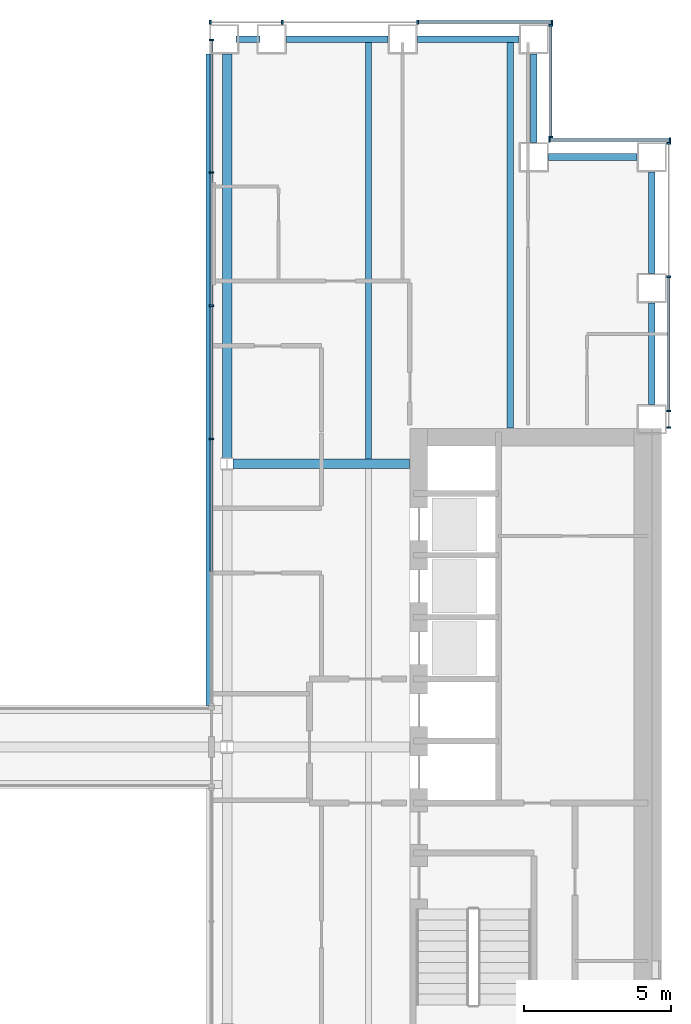
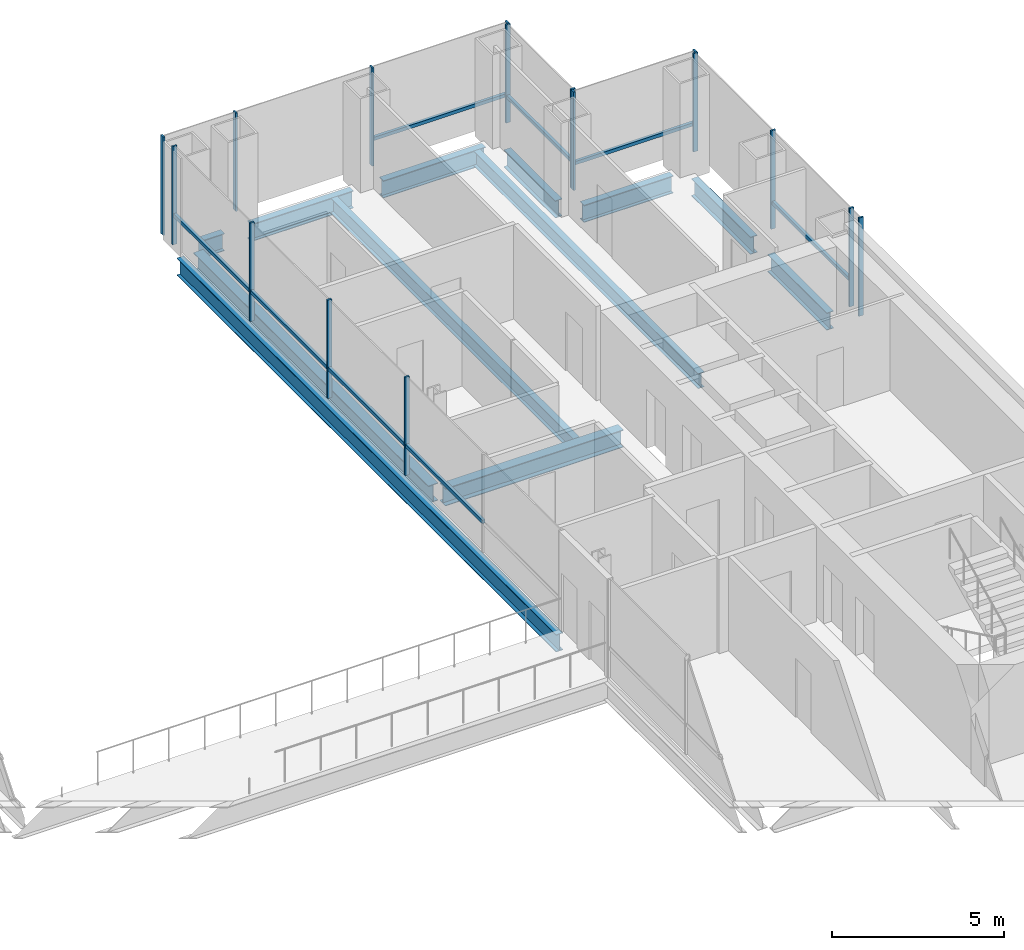
# One storey, part 7 of 18: 24 members, 12 beams, 5 elements without a shape of their own.
"""IFC4 building model written with IfcOpenShell, lengths in metres."""

from ifc_helpers import new_model, si_unit, direction, frame, origin, origin_2d, place, context, subcontext, project, spatial, rectangle, i_section, extrude, material, material_profile, profile_set, type_object, element, aggregate, save


model = new_model("IFC4")

# Units and contexts
model_context = context("Model", 3, precision=1e-05, world=origin(), true_north=direction((0.0, 1.0)))
body_context = subcontext(model_context, "Body", "Model", "MODEL_VIEW")
ifc_project = project(units=[si_unit("LENGTHUNIT", "METRE"), si_unit("AREAUNIT", "SQUARE_METRE"), si_unit("VOLUMEUNIT", "CUBIC_METRE"), si_unit("PLANEANGLEUNIT", "RADIAN"), si_unit("MASSUNIT", "GRAM", prefix="KILO")], contexts=[model_context])

# Site, building, storey
site_placement = place(None, origin())
site = spatial("IfcSite", under=ifc_project, at=site_placement, CompositionType="ELEMENT")
building_placement = place(site_placement, origin())
building = spatial("IfcBuilding", under=site, at=building_placement, Name="Cobrizo Arcos Hotel Tower", CompositionType="ELEMENT")
storey_placement = place(building_placement, frame((0.0, 0.0, 77.5)))
storey = spatial("IfcBuildingStorey", under=building, at=storey_placement, Name="L18", CompositionType="ELEMENT", Elevation=77.5)

# Curtain wall, members
ifc_material_1 = material(Name="Aluminium 6063-T6 anodised bronze", Category="aluminium")
curtain_wall_type_1 = type_object("IfcCurtainWallType", Name="CW-A guest facade", PredefinedType="NOTDEFINED", material=ifc_material_1)
curtain_wall_1_placement = place(storey_placement, origin())
curtain_wall_1 = element("IfcCurtainWall", 1, at=curtain_wall_1_placement, inside=storey, type_object=curtain_wall_type_1, Name="CW-A L18 E face", PredefinedType="NOTDEFINED")
ifc_material_profile_1 = material_profile(ifc_material_1, rectangle(XDim=0.14990234375, YDim=0.06005859375, at=origin_2d()), Name="CW-A mullion 150x60")
ifc_profile_set_1 = profile_set([ifc_material_profile_1], Name="Aluminium 6063-T6 anodised bronze")
member_type_1 = type_object("IfcMemberType", Name="CW-A mullion 150x60", PredefinedType="MULLION", material=ifc_profile_set_1)
member_1_placement = place(storey_placement, frame((24.574951171875, 10.830078125, 0.0), z_axis=(0.0, 0.0, 1.0), x_axis=(1.0, 0.0, 0.0)))
member_1 = element("IfcMember", 2, at=member_1_placement, type_object=member_type_1, Name="CW-A mullion 1", PredefinedType="MULLION", context=body_context, shape_type="SweptSolid", body=[
    extrude(rectangle(XDim=0.14990234375, YDim=0.06005859375, at=origin_2d()), origin(), (0.0, 0.0, 1.0), 3.5),
])
member_2_placement = place(storey_placement, frame((24.574951171875, 11.388916015625, 0.0), z_axis=(0.0, 0.0, 1.0), x_axis=(1.0, 0.0, 0.0)))
member_2 = element("IfcMember", 3, at=member_2_placement, type_object=member_type_1, Name="CW-A mullion 2", PredefinedType="MULLION", context=body_context, shape_type="SweptSolid", body=[
    extrude(rectangle(XDim=0.14990234375, YDim=0.06005859375, at=origin_2d()), origin(), (0.0, 0.0, 1.0), 3.5),
])
member_3_placement = place(storey_placement, frame((24.574951171875, 15.9443359375, 0.0), z_axis=(0.0, 0.0, 1.0), x_axis=(1.0, 0.0, 0.0)))
member_3 = element("IfcMember", 4, at=member_3_placement, type_object=member_type_1, Name="CW-A mullion 3", PredefinedType="MULLION", context=body_context, shape_type="SweptSolid", body=[
    extrude(rectangle(XDim=0.14990234375, YDim=0.06005859375, at=origin_2d()), origin(), (0.0, 0.0, 1.0), 3.5),
])
member_4_placement = place(storey_placement, frame((24.574951171875, 20.469970703125, 0.0), z_axis=(0.0, 0.0, 1.0), x_axis=(1.0, 0.0, 0.0)))
member_4 = element("IfcMember", 5, at=member_4_placement, type_object=member_type_1, Name="CW-A mullion 4", PredefinedType="MULLION", context=body_context, shape_type="SweptSolid", body=[
    extrude(rectangle(XDim=0.14990234375, YDim=0.06005859375, at=origin_2d()), origin(), (0.0, 0.0, 1.0), 3.5),
])

curtain_wall_2_placement = place(storey_placement, origin())
curtain_wall_2 = element("IfcCurtainWall", 6, at=curtain_wall_2_placement, inside=storey, type_object=curtain_wall_type_1, Name="CW-A L18 N face", PredefinedType="NOTDEFINED")
member_5_placement = place(storey_placement, frame((24.6201171875, 20.574951171875, 0.0), z_axis=(0.0, 0.0, 1.0), x_axis=(0.0, 1.0, 0.0)))
member_5 = element("IfcMember", 7, at=member_5_placement, type_object=member_type_1, Name="CW-A mullion 1", PredefinedType="MULLION", context=body_context, shape_type="SweptSolid", body=[
    extrude(rectangle(XDim=0.14990234375, YDim=0.06005859375, at=origin_2d()), origin(), (0.0, 0.0, 1.0), 3.5),
])
member_6_placement = place(storey_placement, frame((20.530029296875, 20.574951171875, 0.0), z_axis=(0.0, 0.0, 1.0), x_axis=(0.0, 1.0, 0.0)))
member_6 = element("IfcMember", 8, at=member_6_placement, type_object=member_type_1, Name="CW-A mullion 2", PredefinedType="MULLION", context=body_context, shape_type="SweptSolid", body=[
    extrude(rectangle(XDim=0.14990234375, YDim=0.06005859375, at=origin_2d()), origin(), (0.0, 0.0, 1.0), 3.5),
])

curtain_wall_3_placement = place(storey_placement, origin())
curtain_wall_3 = element("IfcCurtainWall", 9, at=curtain_wall_3_placement, inside=storey, type_object=curtain_wall_type_1, Name="CW-A L18 E face", PredefinedType="NOTDEFINED")
member_7_placement = place(storey_placement, frame((20.574951171875, 20.679931640625, 0.0), z_axis=(0.0, 0.0, 1.0), x_axis=(1.0, 0.0, 0.0)))
member_7 = element("IfcMember", 10, at=member_7_placement, type_object=member_type_1, Name="CW-A mullion 1", PredefinedType="MULLION", context=body_context, shape_type="SweptSolid", body=[
    extrude(rectangle(XDim=0.14990234375, YDim=0.06005859375, at=origin_2d()), origin(), (0.0, 0.0, 1.0), 3.5),
])
member_8_placement = place(storey_placement, frame((20.574951171875, 24.469970703125, 0.0), z_axis=(0.0, 0.0, 1.0), x_axis=(1.0, 0.0, 0.0)))
member_8 = element("IfcMember", 11, at=member_8_placement, type_object=member_type_1, Name="CW-A mullion 2", PredefinedType="MULLION", context=body_context, shape_type="SweptSolid", body=[
    extrude(rectangle(XDim=0.14990234375, YDim=0.06005859375, at=origin_2d()), origin(), (0.0, 0.0, 1.0), 3.5),
])

curtain_wall_4_placement = place(storey_placement, origin())
curtain_wall_4 = element("IfcCurtainWall", 12, at=curtain_wall_4_placement, inside=storey, type_object=curtain_wall_type_1, Name="CW-A L18 N face", PredefinedType="NOTDEFINED")
member_9_placement = place(storey_placement, frame((20.6201171875, 24.574951171875, 0.0), z_axis=(0.0, 0.0, 1.0), x_axis=(0.0, 1.0, 0.0)))
member_9 = element("IfcMember", 13, at=member_9_placement, type_object=member_type_1, Name="CW-A mullion 1", PredefinedType="MULLION", context=body_context, shape_type="SweptSolid", body=[
    extrude(rectangle(XDim=0.14990234375, YDim=0.06005859375, at=origin_2d()), origin(), (0.0, 0.0, 1.0), 3.5),
])
member_10_placement = place(storey_placement, frame((16.06103515625, 24.574951171875, 0.0), z_axis=(0.0, 0.0, 1.0), x_axis=(0.0, 1.0, 0.0)))
member_10 = element("IfcMember", 14, at=member_10_placement, type_object=member_type_1, Name="CW-A mullion 2", PredefinedType="MULLION", context=body_context, shape_type="SweptSolid", body=[
    extrude(rectangle(XDim=0.14990234375, YDim=0.06005859375, at=origin_2d()), origin(), (0.0, 0.0, 1.0), 3.5),
])
member_11_placement = place(storey_placement, frame((11.47216796875, 24.574951171875, 0.0), z_axis=(0.0, 0.0, 1.0), x_axis=(0.0, 1.0, 0.0)))
member_11 = element("IfcMember", 15, at=member_11_placement, type_object=member_type_1, Name="CW-A mullion 3", PredefinedType="MULLION", context=body_context, shape_type="SweptSolid", body=[
    extrude(rectangle(XDim=0.14990234375, YDim=0.06005859375, at=origin_2d()), origin(), (0.0, 0.0, 1.0), 3.5),
])
member_12_placement = place(storey_placement, frame((9.030029296875, 24.574951171875, 0.0), z_axis=(0.0, 0.0, 1.0), x_axis=(0.0, 1.0, 0.0)))
member_12 = element("IfcMember", 16, at=member_12_placement, type_object=member_type_1, Name="CW-A mullion 4", PredefinedType="MULLION", context=body_context, shape_type="SweptSolid", body=[
    extrude(rectangle(XDim=0.14990234375, YDim=0.06005859375, at=origin_2d()), origin(), (0.0, 0.0, 1.0), 3.5),
])

# Member
ifc_material_profile_2 = material_profile(ifc_material_1, rectangle(XDim=0.10009765625, YDim=0.1201171875, at=origin_2d()), Name="CW-A transom 120x100")
ifc_profile_set_2 = profile_set([ifc_material_profile_2], Name="Aluminium 6063-T6 anodised bronze")
member_type_2 = type_object("IfcMemberType", Name="CW-A transom 120x100", PredefinedType="USERDEFINED", material=ifc_profile_set_2)
member_13_placement = place(storey_placement, frame((24.574951171875, 11.4189453125, 0.929931640625), z_axis=(0.0, 1.0, 0.0), x_axis=(-1.0, 0.0, 0.0)))
member_13 = element("IfcMember", 17, at=member_13_placement, type_object=member_type_2, Name="CW-A transom 761", ObjectType="TRANSOM", PredefinedType="USERDEFINED", context=body_context, shape_type="SweptSolid", body=[
    extrude(rectangle(XDim=0.10009765625, YDim=0.1201171875, at=origin_2d()), origin(), (0.0, 0.0, 1.0), 4.49560546875),
])

aggregate(curtain_wall_1, [member_1, member_2, member_3, member_4, member_13])

member_14_placement = place(storey_placement, frame((24.590087890625, 20.574951171875, 0.929931640625), z_axis=(-1.0, 0.0, 0.0), x_axis=(0.0, -1.0, 0.0)))
member_14 = element("IfcMember", 18, at=member_14_placement, type_object=member_type_2, Name="CW-A transom 763", ObjectType="TRANSOM", PredefinedType="USERDEFINED", context=body_context, shape_type="SweptSolid", body=[
    extrude(rectangle(XDim=0.10009765625, YDim=0.1201171875, at=origin_2d()), origin(), (0.0, 0.0, 1.0), 4.030029296875),
])

aggregate(curtain_wall_2, [member_5, member_6, member_14])

member_15_placement = place(storey_placement, frame((20.574951171875, 20.7099609375, 0.929931640625), z_axis=(0.0, 1.0, 0.0), x_axis=(-1.0, 0.0, 0.0)))
member_15 = element("IfcMember", 19, at=member_15_placement, type_object=member_type_2, Name="CW-A transom 764", ObjectType="TRANSOM", PredefinedType="USERDEFINED", context=body_context, shape_type="SweptSolid", body=[
    extrude(rectangle(XDim=0.10009765625, YDim=0.1201171875, at=origin_2d()), origin(), (0.0, 0.0, 1.0), 3.72998046875),
])

aggregate(curtain_wall_3, [member_7, member_8, member_15])

member_16_placement = place(storey_placement, frame((20.590087890625, 24.574951171875, 0.929931640625), z_axis=(-1.0, 0.0, 0.0), x_axis=(0.0, -1.0, 0.0)))
member_16 = element("IfcMember", 20, at=member_16_placement, type_object=member_type_2, Name="CW-A transom 765", ObjectType="TRANSOM", PredefinedType="USERDEFINED", context=body_context, shape_type="SweptSolid", body=[
    extrude(rectangle(XDim=0.10009765625, YDim=0.1201171875, at=origin_2d()), origin(), (0.0, 0.0, 1.0), 4.4990234375),
])

aggregate(curtain_wall_4, [member_9, member_10, member_11, member_12, member_16])

# Curtain wall, members
curtain_wall_type_2 = type_object("IfcCurtainWallType", Name="CW-F void screen", PredefinedType="NOTDEFINED", material=ifc_material_1)
curtain_wall_5_placement = place(storey_placement, origin())
curtain_wall_5 = element("IfcCurtainWall", 21, at=curtain_wall_5_placement, inside=storey, type_object=curtain_wall_type_2, Name="CW-F L18 void screen A", PredefinedType="NOTDEFINED")
ifc_material_profile_3 = material_profile(ifc_material_1, rectangle(XDim=0.14990234375, YDim=0.06005859375, at=origin_2d()), Name="CW-F mullion 150x60")
ifc_profile_set_3 = profile_set([ifc_material_profile_3], Name="Aluminium 6063-T6 anodised bronze")
member_type_3 = type_object("IfcMemberType", Name="CW-F mullion 150x60", PredefinedType="MULLION", material=ifc_profile_set_3)
member_17_placement = place(storey_placement, frame((9.074951171875, 10.43994140625, 0.0), z_axis=(0.0, 0.0, 1.0), x_axis=(1.0, 0.0, 0.0)))
member_17 = element("IfcMember", 22, at=member_17_placement, type_object=member_type_3, Name="CW-F mullion 3", PredefinedType="MULLION", context=body_context, shape_type="SweptSolid", body=[
    extrude(rectangle(XDim=0.14990234375, YDim=0.06005859375, at=origin_2d()), origin(), (0.0, 0.0, 1.0), 3.5),
])
member_18_placement = place(storey_placement, frame((9.074951171875, 14.9599609375, 0.0), z_axis=(0.0, 0.0, 1.0), x_axis=(1.0, 0.0, 0.0)))
member_18 = element("IfcMember", 23, at=member_18_placement, type_object=member_type_3, Name="CW-F mullion 4", PredefinedType="MULLION", context=body_context, shape_type="SweptSolid", body=[
    extrude(rectangle(XDim=0.14990234375, YDim=0.06005859375, at=origin_2d()), origin(), (0.0, 0.0, 1.0), 3.5),
])
member_19_placement = place(storey_placement, frame((9.074951171875, 19.47998046875, 0.0), z_axis=(0.0, 0.0, 1.0), x_axis=(1.0, 0.0, 0.0)))
member_19 = element("IfcMember", 24, at=member_19_placement, type_object=member_type_3, Name="CW-F mullion 5", PredefinedType="MULLION", context=body_context, shape_type="SweptSolid", body=[
    extrude(rectangle(XDim=0.14990234375, YDim=0.06005859375, at=origin_2d()), origin(), (0.0, 0.0, 1.0), 3.5),
])
member_20_placement = place(storey_placement, frame((9.074951171875, 23.969970703125, 0.0), z_axis=(0.0, 0.0, 1.0), x_axis=(1.0, 0.0, 0.0)))
member_20 = element("IfcMember", 25, at=member_20_placement, type_object=member_type_3, Name="CW-F mullion 6", PredefinedType="MULLION", context=body_context, shape_type="SweptSolid", body=[
    extrude(rectangle(XDim=0.14990234375, YDim=0.06005859375, at=origin_2d()), origin(), (0.0, 0.0, 1.0), 3.5),
])
ifc_material_profile_4 = material_profile(ifc_material_1, rectangle(XDim=0.10009765625, YDim=0.1201171875, at=origin_2d()), Name="CW-F transom 120x100")
ifc_profile_set_4 = profile_set([ifc_material_profile_4], Name="Aluminium 6063-T6 anodised bronze")
member_type_4 = type_object("IfcMemberType", Name="CW-F transom 120x100", PredefinedType="USERDEFINED", material=ifc_profile_set_4)
member_21_placement = place(storey_placement, frame((9.074951171875, 5.949951171875, 1.050048828125), z_axis=(0.0, 1.0, 0.0), x_axis=(-1.0, 0.0, 0.0)))
member_21 = element("IfcMember", 26, at=member_21_placement, type_object=member_type_4, Name="CW-F transom 2534", ObjectType="TRANSOM", PredefinedType="USERDEFINED", context=body_context, shape_type="SweptSolid", body=[
    extrude(rectangle(XDim=0.10009765625, YDim=0.1201171875, at=origin_2d()), origin(), (0.0, 0.0, 1.0), 4.4599609375),
])
member_22_placement = place(storey_placement, frame((9.074951171875, 10.469970703125, 1.050048828125), z_axis=(0.0, 1.0, 0.0), x_axis=(-1.0, 0.0, 0.0)))
member_22 = element("IfcMember", 27, at=member_22_placement, type_object=member_type_4, Name="CW-F transom 2535", ObjectType="TRANSOM", PredefinedType="USERDEFINED", context=body_context, shape_type="SweptSolid", body=[
    extrude(rectangle(XDim=0.10009765625, YDim=0.1201171875, at=origin_2d()), origin(), (0.0, 0.0, 1.0), 4.4599609375),
])
member_23_placement = place(storey_placement, frame((9.074951171875, 14.989990234375, 1.050048828125), z_axis=(0.0, 1.0, 0.0), x_axis=(-1.0, 0.0, 0.0)))
member_23 = element("IfcMember", 28, at=member_23_placement, type_object=member_type_4, Name="CW-F transom 2536", ObjectType="TRANSOM", PredefinedType="USERDEFINED", context=body_context, shape_type="SweptSolid", body=[
    extrude(rectangle(XDim=0.10009765625, YDim=0.1201171875, at=origin_2d()), origin(), (0.0, 0.0, 1.0), 4.4599609375),
])
member_24_placement = place(storey_placement, frame((9.074951171875, 19.510009765625, 1.050048828125), z_axis=(0.0, 1.0, 0.0), x_axis=(-1.0, 0.0, 0.0)))
member_24 = element("IfcMember", 29, at=member_24_placement, type_object=member_type_4, Name="CW-F transom 2537", ObjectType="TRANSOM", PredefinedType="USERDEFINED", context=body_context, shape_type="SweptSolid", body=[
    extrude(rectangle(XDim=0.10009765625, YDim=0.1201171875, at=origin_2d()), origin(), (0.0, 0.0, 1.0), 4.429931640625),
])
aggregate(curtain_wall_5, [member_17, member_18, member_19, member_20, member_21, member_22, member_23, member_24])

# Beams
ifc_material_2 = material(Name="Steel ASTM A992 Grade 50", Category="steel")
ifc_material_profile_5 = material_profile(ifc_material_2, i_section(OverallWidth=0.209228515625, OverallDepth=0.533447265625, WebThickness=0.01025390625, FlangeThickness=0.015625, at=origin_2d()), Name="W21X62")
ifc_profile_set_5 = profile_set([ifc_material_profile_5], Name="Steel ASTM A992 Grade 50")
beam_type_1 = type_object("IfcBeamType", Name="W21X62 joist", PredefinedType="JOIST", material=ifc_profile_set_5)
beam_1_placement = place(storey_placement, frame((14.39990234375, 9.763916015625, -0.416748046875), z_axis=(0.0, 1.0, 0.0), x_axis=(-1.0, 0.0, 0.0)))
element("IfcBeam", 30, at=beam_1_placement, inside=storey, type_object=beam_type_1, Name="Floor joist J1, L18, no. 010", PredefinedType="JOIST", context=body_context, shape_type="SweptSolid", body=[
    extrude(i_section(OverallWidth=0.209228515625, OverallDepth=0.533447265625, WebThickness=0.01025390625, FlangeThickness=0.015625, at=origin_2d()), origin(), (0.0, 0.0, 1.0), 14.14599609375),
])
beam_2_placement = place(storey_placement, frame((19.199951171875, 10.81005859375, -0.416748046875), z_axis=(0.0, 1.0, 0.0), x_axis=(-1.0, 0.0, 0.0)))
element("IfcBeam", 31, at=beam_2_placement, inside=storey, type_object=beam_type_1, Name="Floor joist J1, L18, no. 012", PredefinedType="JOIST", context=body_context, shape_type="SweptSolid", body=[
    extrude(i_section(OverallWidth=0.209228515625, OverallDepth=0.533447265625, WebThickness=0.01025390625, FlangeThickness=0.015625, at=origin_2d()), origin(), (0.0, 0.0, 1.0), 13.099853515625),
])
ifc_material_profile_6 = material_profile(ifc_material_2, i_section(OverallWidth=0.32763671875, OverallDepth=0.622314453125, WebThickness=0.015380859375, FlangeThickness=0.0244140625, at=origin_2d()), Name="W24X131")
ifc_profile_set_6 = profile_set([ifc_material_profile_6], Name="Steel ASTM A992 Grade 50")
beam_type_2 = type_object("IfcBeamType", Name="W24X131 girder", PredefinedType="BEAM", material=ifc_profile_set_6)
beam_3_placement = place(storey_placement, frame((9.804443359375, 9.60009765625, -0.461181640625), z_axis=(1.0, 0.0, 0.0), x_axis=(0.0, 1.0, 0.0)))
element("IfcBeam", 32, at=beam_3_placement, inside=storey, type_object=beam_type_2, Name="Floor girder G1, L18, no. 007", PredefinedType="BEAM", context=body_context, shape_type="SweptSolid", body=[
    extrude(i_section(OverallWidth=0.32763671875, OverallDepth=0.622314453125, WebThickness=0.015380859375, FlangeThickness=0.0244140625, at=origin_2d()), origin(), (0.0, 0.0, 1.0), 5.985595703125),
])
beam_4_placement = place(storey_placement, frame((9.60009765625, 9.804443359375, -0.461181640625), z_axis=(0.0, 1.0, 0.0), x_axis=(-1.0, 0.0, 0.0)))
element("IfcBeam", 33, at=beam_4_placement, inside=storey, type_object=beam_type_2, Name="Floor girder G1, L18, no. 015", PredefinedType="BEAM", context=body_context, shape_type="SweptSolid", body=[
    extrude(i_section(OverallWidth=0.32763671875, OverallDepth=0.622314453125, WebThickness=0.015380859375, FlangeThickness=0.0244140625, at=origin_2d()), origin(), (0.0, 0.0, 1.0), 13.695556640625),
])
ifc_material_profile_7 = material_profile(ifc_material_2, i_section(OverallWidth=0.23046875, OverallDepth=0.6171875, WebThickness=0.01318359375, FlangeThickness=0.022216796875, at=origin_2d()), Name="W24X94")
ifc_profile_set_7 = profile_set([ifc_material_profile_7], Name="Steel ASTM A992 Grade 50")
beam_type_3 = type_object("IfcBeamType", Name="W24X94 spandrel", PredefinedType="SPANDREL", material=ifc_profile_set_7)
beam_5_placement = place(storey_placement, frame((20.5, 20.0, -0.45849609375), z_axis=(1.0, 0.0, 0.0), x_axis=(0.0, 1.0, 0.0)))
element("IfcBeam", 34, at=beam_5_placement, inside=storey, type_object=beam_type_3, Name="Spandrel beam W24X94, L18, no. 001", PredefinedType="SPANDREL", context=body_context, shape_type="SweptSolid", body=[
    extrude(i_section(OverallWidth=0.23046875, OverallDepth=0.6171875, WebThickness=0.01318359375, FlangeThickness=0.022216796875, at=origin_2d()), origin(), (0.0, 0.0, 1.0), 3.0),
])
beam_6_placement = place(storey_placement, frame((24.0, 19.5, -0.45849609375), z_axis=(0.0, -1.0, 0.0), x_axis=(1.0, 0.0, 0.0)))
element("IfcBeam", 35, at=beam_6_placement, inside=storey, type_object=beam_type_3, Name="Spandrel beam W24X94, L18, no. 002", PredefinedType="SPANDREL", context=body_context, shape_type="SweptSolid", body=[
    extrude(i_section(OverallWidth=0.23046875, OverallDepth=0.6171875, WebThickness=0.01318359375, FlangeThickness=0.022216796875, at=origin_2d()), origin(), (0.0, 0.0, 1.0), 3.444091796875),
])
beam_7_placement = place(storey_placement, frame((24.0, 15.055908203125, -0.45849609375), z_axis=(0.0, -1.0, 0.0), x_axis=(1.0, 0.0, 0.0)))
element("IfcBeam", 36, at=beam_7_placement, inside=storey, type_object=beam_type_3, Name="Spandrel beam W24X94, L18, no. 003", PredefinedType="SPANDREL", context=body_context, shape_type="SweptSolid", body=[
    extrude(i_section(OverallWidth=0.23046875, OverallDepth=0.6171875, WebThickness=0.01318359375, FlangeThickness=0.022216796875, at=origin_2d()), origin(), (0.0, 0.0, 1.0), 3.44482421875),
])
beam_8_placement = place(storey_placement, frame((9.0, 1.39990234375, -0.45849609375), z_axis=(0.0, 1.0, 0.0), x_axis=(-1.0, 0.0, 0.0)))
element("IfcBeam", 37, at=beam_8_placement, inside=storey, type_object=beam_type_3, Name="Spandrel beam W24X94, L18, no. 028", PredefinedType="SPANDREL", context=body_context, shape_type="SweptSolid", body=[
    extrude(i_section(OverallWidth=0.23046875, OverallDepth=0.6171875, WebThickness=0.01318359375, FlangeThickness=0.022216796875, at=origin_2d()), origin(), (0.0, 0.0, 1.0), 22.10009765625),
])
beam_9_placement = place(storey_placement, frame((9.89990234375, 24.0, -0.45849609375), z_axis=(1.0, 0.0, 0.0), x_axis=(0.0, 1.0, 0.0)))
element("IfcBeam", 38, at=beam_9_placement, inside=storey, type_object=beam_type_3, Name="Spandrel beam W24X94, L18, no. 029", PredefinedType="SPANDREL", context=body_context, shape_type="SweptSolid", body=[
    extrude(i_section(OverallWidth=0.23046875, OverallDepth=0.6171875, WebThickness=0.01318359375, FlangeThickness=0.022216796875, at=origin_2d()), origin(), (0.0, 0.0, 1.0), 0.81103515625),
])
beam_10_placement = place(storey_placement, frame((11.611083984375, 24.0, -0.45849609375), z_axis=(1.0, 0.0, 0.0), x_axis=(0.0, 1.0, 0.0)))
element("IfcBeam", 39, at=beam_10_placement, inside=storey, type_object=beam_type_3, Name="Spandrel beam W24X94, L18, no. 030", PredefinedType="SPANDREL", context=body_context, shape_type="SweptSolid", body=[
    extrude(i_section(OverallWidth=0.23046875, OverallDepth=0.6171875, WebThickness=0.01318359375, FlangeThickness=0.022216796875, at=origin_2d()), origin(), (0.0, 0.0, 1.0), 3.44482421875),
])
beam_11_placement = place(storey_placement, frame((16.055908203125, 24.0, -0.45849609375), z_axis=(1.0, 0.0, 0.0), x_axis=(0.0, 1.0, 0.0)))
element("IfcBeam", 40, at=beam_11_placement, inside=storey, type_object=beam_type_3, Name="Spandrel beam W24X94, L18, no. 031", PredefinedType="SPANDREL", context=body_context, shape_type="SweptSolid", body=[
    extrude(i_section(OverallWidth=0.23046875, OverallDepth=0.6171875, WebThickness=0.01318359375, FlangeThickness=0.022216796875, at=origin_2d()), origin(), (0.0, 0.0, 1.0), 3.444091796875),
])
beam_12_placement = place(storey_placement, frame((20.0, 23.5, -0.45849609375), z_axis=(0.0, -1.0, 0.0), x_axis=(1.0, 0.0, 0.0)))
element("IfcBeam", 41, at=beam_12_placement, inside=storey, type_object=beam_type_3, Name="Spandrel beam W24X94, L18, no. 032", PredefinedType="SPANDREL", context=body_context, shape_type="SweptSolid", body=[
    extrude(i_section(OverallWidth=0.23046875, OverallDepth=0.6171875, WebThickness=0.01318359375, FlangeThickness=0.022216796875, at=origin_2d()), origin(), (0.0, 0.0, 1.0), 3.0),
])

save(model, "model.ifc")
